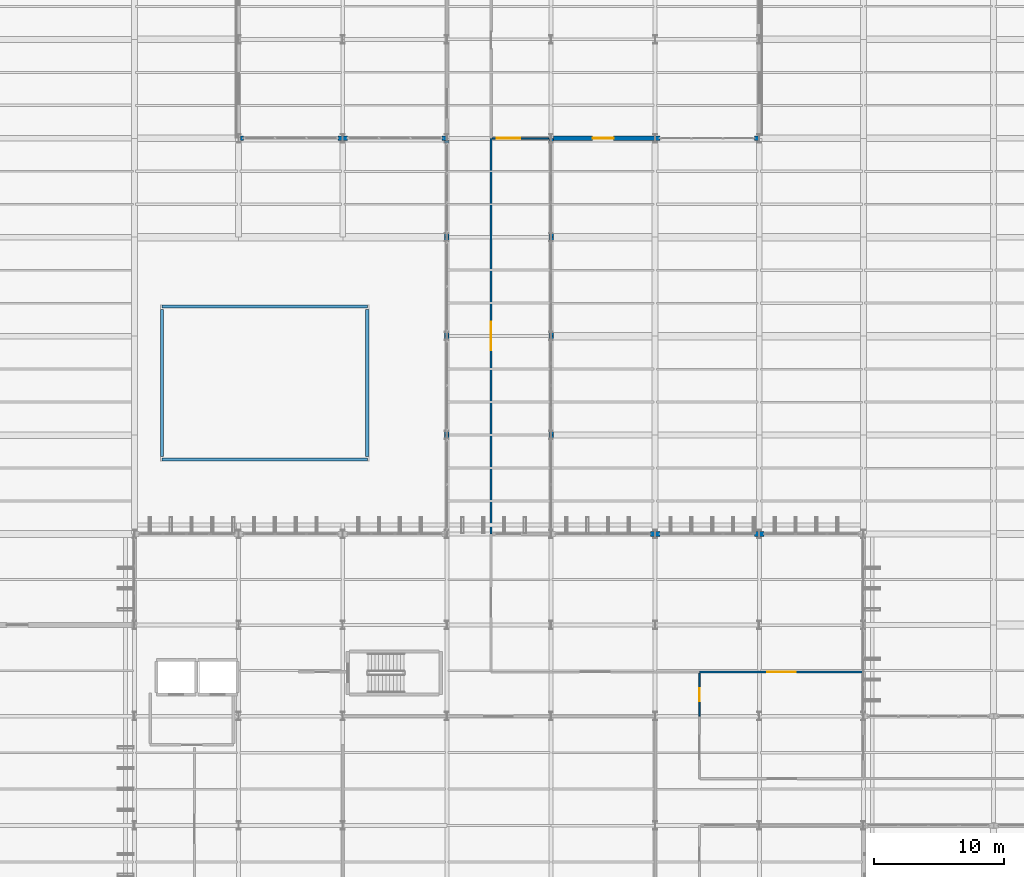
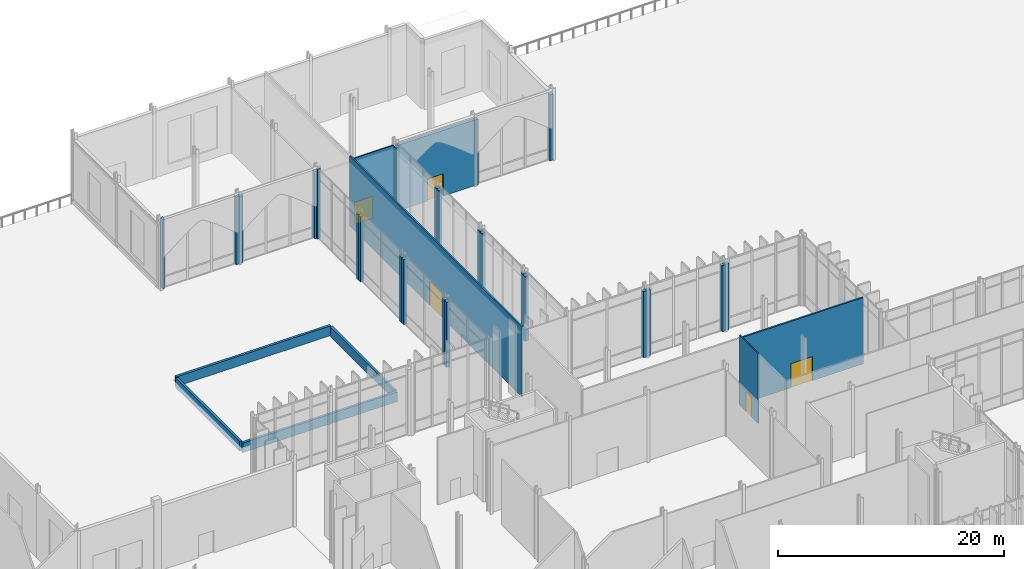
# One storey, part 141 of 176: 33 walls, 5 doors, 5 openings.
"""IFC4 building model written with IfcOpenShell, lengths in metres."""

from ifc_helpers import new_model, si_unit, direction, frame, frame_2d, origin, place, context, subcontext, project, spatial, rectangle, extrude, material, layer, layer_set, type_object, element, fill, save


model = new_model("IFC4")

# Units and contexts
model_context = context("Model", 3, precision=1e-05, world=origin(), true_north=direction((0.0, 1.0)))
body_context = subcontext(model_context, "Body", "Model", "MODEL_VIEW")
ifc_project = project(units=[si_unit("LENGTHUNIT", "METRE"), si_unit("AREAUNIT", "SQUARE_METRE"), si_unit("VOLUMEUNIT", "CUBIC_METRE"), si_unit("PLANEANGLEUNIT", "RADIAN"), si_unit("MASSUNIT", "GRAM", prefix="KILO")], contexts=[model_context])

# Site, building, storey
site_placement = place(None, origin())
site = spatial("IfcSite", under=ifc_project, at=site_placement, CompositionType="ELEMENT")
building_placement = place(site_placement, origin())
building = spatial("IfcBuilding", under=site, at=building_placement, Name="Vekula Escarpment Museum", CompositionType="ELEMENT")
storey_placement = place(building_placement, origin())
storey = spatial("IfcBuildingStorey", under=building, at=storey_placement, Name="L01", CompositionType="ELEMENT", Elevation=0.0)

# Wall, opening, door
ifc_material_1 = material(Name="Inkisi arkosic sandstone masonry", Category="masonry")
ifc_layer_1 = layer(ifc_material_1, 0.320068359375)
ifc_layer_set_1 = layer_set([ifc_layer_1], Name="Inkisi arkosic sandstone masonry")
wall_type_1 = type_object("IfcWallType", Name="WL-ALM-320", PredefinedType="SOLIDWALL", material=ifc_layer_set_1)
wall_1_placement = place(storey_placement, frame((110.0, 120.800048828125, 0.0), z_axis=(0.0, 0.0, 1.0), x_axis=(-1.0, 0.0, 0.0)))
wall_1 = element("IfcWall", 1, at=wall_1_placement, inside=storey, type_object=wall_type_1, Name="Exterior Wall WL-EXT-L01-0174", PredefinedType="SOLIDWALL", context=body_context, shape_type="SweptSolid", body=[
    extrude(rectangle(XDim=7.821044921875, YDim=0.320068359375, at=frame_2d((3.91064453125, 0.0))), origin(), (0.0, 0.0, 1.0), 7.074951171875),
])
opening_1_placement = place(wall_1_placement, frame((3.199951171875, 0.0, 0.0)))
opening_1 = element("IfcOpeningElement", 2, at=opening_1_placement, cuts=wall_1, Name="Opening D-CY07", PredefinedType="OPENING", context=body_context, shape_type="SweptSolid", body=[
    extrude(rectangle(XDim=1.60009765625, YDim=2.39990234375, at=frame_2d((0.800048828125, 1.199951171875))), frame((0.0, 0.169921875, 0.0), z_axis=(0.0, -1.0, 0.0), x_axis=(1.0, 0.0, 0.0)), (0.0, 0.0, 1.0), 0.340087890625),
])
ifc_material_2 = material(Name="Thermally broken glazed terrace door", Category="steel")
door_type_1 = type_object("IfcDoorType", Name="DR-TER-1600x2400", OperationType="NOTDEFINED", PredefinedType="DOOR", material=ifc_material_2)
door_1_placement = place(opening_1_placement, origin())
door_1 = element("IfcDoor", 3, at=door_1_placement, inside=storey, type_object=door_type_1, Name="North Avlu East Courtyard Door D-CY07", OperationType="SINGLE_SWING_LEFT", OverallHeight=2.39990234375, OverallWidth=1.60009765625, PredefinedType="DOOR", context=body_context, shape_type="SweptSolid", body=[
    extrude(rectangle(XDim=1.60009765625, YDim=2.39990234375, at=frame_2d((0.800048828125, 1.199951171875))), frame((0.0, 0.02490234375, 0.0), z_axis=(0.0, -1.0, 0.0), x_axis=(1.0, 0.0, 0.0)), (0.0, 0.0, 1.0), 0.050048828125),
])
fill(opening_1, door_1)

# Walls
ifc_material_3 = material(Name="Inkisi arkosic sandstone masonry", Category="masonry")
ifc_layer_2 = layer(ifc_material_3, 0.35009765625)
ifc_layer_set_2 = layer_set([ifc_layer_2], Name="Inkisi arkosic sandstone masonry")
wall_type_2 = type_object("IfcWallType", Name="WL-ALM-350", PredefinedType="SOLIDWALL", material=ifc_layer_set_2)
for number, where, z_axis, x_axis, name in (
    (4, (118.360107421875, 90.39990234375, 0.0), (0.0, 0.0, 1.0), (-1.0, 0.0, 0.0), "Facade Jamb Pier L01-0161B"),
    (5, (118.0, 90.39990234375, 0.0), (0.0, 0.0, 1.0), (-1.0, 0.0, 0.0), "Facade Jamb Pier L01-0162A"),
    (6, (110.360107421875, 90.39990234375, 0.0), (0.0, 0.0, 1.0), (-1.0, 0.0, 0.0), "Facade Jamb Pier L01-0163B"),
    (7, (110.0, 90.39990234375, 0.0), (0.0, 0.0, 1.0), (-1.0, 0.0, 0.0), "Facade Jamb Pier L01-0164A"),
):
    element("IfcWall", number, at=place(storey_placement, frame(where, z_axis=z_axis, x_axis=x_axis)), inside=storey, type_object=wall_type_2, Name=name, PredefinedType="SOLIDWALL", context=body_context, shape_type="SweptSolid", body=[
        extrude(rectangle(XDim=0.360107421875, YDim=0.35009765625, at=frame_2d((0.18017578125, 0.0))), origin(), (0.0, 0.0, 1.0), 7.135009765625),
    ])
for number, where, z_axis, x_axis, name in (
    (8, (102.0, 97.639892578125, 0.0), (0.0, 0.0, 1.0), (0.0, 1.0, 0.0), "Facade Jamb Pier L01-0167B"),
    (9, (102.0, 98.0, 0.0), (0.0, 0.0, 1.0), (0.0, 1.0, 0.0), "Facade Jamb Pier L01-0168A"),
    (10, (102.0, 105.239990234375, 0.0), (0.0, 0.0, 1.0), (0.0, 1.0, 0.0), "Facade Jamb Pier L01-0169B"),
):
    element("IfcWall", number, at=place(storey_placement, frame(where, z_axis=z_axis, x_axis=x_axis)), inside=storey, type_object=wall_type_2, Name=name, PredefinedType="SOLIDWALL", context=body_context, shape_type="SweptSolid", body=[
        extrude(rectangle(XDim=0.360107421875, YDim=0.35009765625, at=frame_2d((0.18017578125, 0.0))), origin(), (0.0, 0.0, 1.0), 7.02490234375),
    ])
for number, where, z_axis, x_axis, name in (
    (11, (102.0, 105.60009765625, 0.0), (0.0, 0.0, 1.0), (0.0, 1.0, 0.0), "Facade Jamb Pier L01-0170A"),
    (12, (102.0, 112.840087890625, 0.0), (0.0, 0.0, 1.0), (0.0, 1.0, 0.0), "Facade Jamb Pier L01-0171B"),
):
    element("IfcWall", number, at=place(storey_placement, frame(where, z_axis=z_axis, x_axis=x_axis)), inside=storey, type_object=wall_type_2, Name=name, PredefinedType="SOLIDWALL", context=body_context, shape_type="SweptSolid", body=[
        extrude(rectangle(XDim=0.35986328125, YDim=0.35009765625, at=frame_2d((0.179931640625, 0.0))), origin(), (0.0, 0.0, 1.0), 7.02490234375),
    ])
for number, where, z_axis, x_axis, name in (
    (13, (102.0, 113.199951171875, 0.0), (0.0, 0.0, 1.0), (0.0, 1.0, 0.0), "Facade Jamb Pier L01-0172A"),
    (14, (102.0, 120.43994140625, 0.0), (0.0, 0.0, 1.0), (0.0, 1.0, 0.0), "Facade Jamb Pier L01-0173B"),
):
    element("IfcWall", number, at=place(storey_placement, frame(where, z_axis=z_axis, x_axis=x_axis)), inside=storey, type_object=wall_type_2, Name=name, PredefinedType="SOLIDWALL", context=body_context, shape_type="SweptSolid", body=[
        extrude(rectangle(XDim=0.360107421875, YDim=0.35009765625, at=frame_2d((0.18017578125, 0.0))), origin(), (0.0, 0.0, 1.0), 7.02490234375),
    ])
for number, where, z_axis, x_axis, name in (
    (15, (110.0, 120.800048828125, 0.0), (0.0, 0.0, 1.0), (1.0, 0.0, 0.0), "Facade Jamb Pier L01-0175A"),
    (16, (117.639892578125, 120.800048828125, 0.0), (0.0, 0.0, 1.0), (1.0, 0.0, 0.0), "Facade Jamb Pier L01-0176B"),
):
    element("IfcWall", number, at=place(storey_placement, frame(where, z_axis=z_axis, x_axis=x_axis)), inside=storey, type_object=wall_type_2, Name=name, PredefinedType="SOLIDWALL", context=body_context, shape_type="SweptSolid", body=[
        extrude(rectangle(XDim=0.360107421875, YDim=0.35009765625, at=frame_2d((0.18017578125, 0.0))), origin(), (0.0, 0.0, 1.0), 7.074951171875),
    ])
wall_2_placement = place(storey_placement, frame((78.154052734375, 120.800048828125, 0.0), z_axis=(0.0, 0.0, 1.0), x_axis=(1.0, 0.0, 0.0)))
element("IfcWall", 17, at=wall_2_placement, inside=storey, type_object=wall_type_2, Name="Facade Jamb Pier L01-0188A", PredefinedType="SOLIDWALL", context=body_context, shape_type="SweptSolid", body=[
    extrude(rectangle(XDim=0.2060546875, YDim=0.35009765625, at=frame_2d((0.10302734375, 0.0))), origin(), (0.0, 0.0, 1.0), 7.5400390625),
])
wall_3_placement = place(storey_placement, frame((85.639892578125, 120.800048828125, 0.0), z_axis=(0.0, 0.0, 1.0), x_axis=(1.0, 0.0, 0.0)))
element("IfcWall", 18, at=wall_3_placement, inside=storey, type_object=wall_type_2, Name="Facade Jamb Pier L01-0189B", PredefinedType="SOLIDWALL", context=body_context, shape_type="SweptSolid", body=[
    extrude(rectangle(XDim=0.360107421875, YDim=0.35009765625, at=frame_2d((0.18017578125, 0.0))), origin(), (0.0, 0.0, 1.0), 7.294921875),
])
for number, where, z_axis, x_axis, name in (
    (19, (86.0, 120.800048828125, 0.0), (0.0, 0.0, 1.0), (1.0, 0.0, 0.0), "Facade Jamb Pier L01-0190A"),
    (20, (93.639892578125, 120.800048828125, 0.0), (0.0, 0.0, 1.0), (1.0, 0.0, 0.0), "Facade Jamb Pier L01-0191B"),
):
    element("IfcWall", number, at=place(storey_placement, frame(where, z_axis=z_axis, x_axis=x_axis)), inside=storey, type_object=wall_type_2, Name=name, PredefinedType="SOLIDWALL", context=body_context, shape_type="SweptSolid", body=[
        extrude(rectangle(XDim=0.360107421875, YDim=0.35009765625, at=frame_2d((0.18017578125, 0.0))), origin(), (0.0, 0.0, 1.0), 7.22509765625),
    ])
wall_4_placement = place(storey_placement, frame((94.0, 120.62109375, 0.0), z_axis=(0.0, 0.0, 1.0), x_axis=(0.0, -1.0, 0.0)))
element("IfcWall", 21, at=wall_4_placement, inside=storey, type_object=wall_type_2, Name="Facade Jamb Pier L01-0192A", PredefinedType="SOLIDWALL", context=body_context, shape_type="SweptSolid", body=[
    extrude(rectangle(XDim=0.18115234375, YDim=0.35009765625, at=frame_2d((0.090576171875, 0.0))), origin(), (0.0, 0.0, 1.0), 7.5400390625),
])
wall_5_placement = place(storey_placement, frame((94.0, 113.56005859375, 0.0), z_axis=(0.0, 0.0, 1.0), x_axis=(0.0, -1.0, 0.0)))
element("IfcWall", 22, at=wall_5_placement, inside=storey, type_object=wall_type_2, Name="Facade Jamb Pier L01-0193B", PredefinedType="SOLIDWALL", context=body_context, shape_type="SweptSolid", body=[
    extrude(rectangle(XDim=0.360107421875, YDim=0.35009765625, at=frame_2d((0.18017578125, 0.0))), origin(), (0.0, 0.0, 1.0), 7.02490234375),
])
for number, where, z_axis, x_axis, name in (
    (23, (94.0, 113.199951171875, 0.0), (0.0, 0.0, 1.0), (0.0, -1.0, 0.0), "Facade Jamb Pier L01-0194A"),
    (24, (94.0, 105.9599609375, 0.0), (0.0, 0.0, 1.0), (0.0, -1.0, 0.0), "Facade Jamb Pier L01-0195B"),
):
    element("IfcWall", number, at=place(storey_placement, frame(where, z_axis=z_axis, x_axis=x_axis)), inside=storey, type_object=wall_type_2, Name=name, PredefinedType="SOLIDWALL", context=body_context, shape_type="SweptSolid", body=[
        extrude(rectangle(XDim=0.35986328125, YDim=0.35009765625, at=frame_2d((0.179931640625, 0.0))), origin(), (0.0, 0.0, 1.0), 7.02490234375),
    ])
for number, where, z_axis, x_axis, name in (
    (25, (94.0, 105.60009765625, 0.0), (0.0, 0.0, 1.0), (0.0, -1.0, 0.0), "Facade Jamb Pier L01-0196A"),
    (26, (94.0, 98.360107421875, 0.0), (0.0, 0.0, 1.0), (0.0, -1.0, 0.0), "Facade Jamb Pier L01-0197B"),
    (27, (94.0, 98.0, 0.0), (0.0, 0.0, 1.0), (0.0, -1.0, 0.0), "Facade Jamb Pier L01-0198A"),
):
    element("IfcWall", number, at=place(storey_placement, frame(where, z_axis=z_axis, x_axis=x_axis)), inside=storey, type_object=wall_type_2, Name=name, PredefinedType="SOLIDWALL", context=body_context, shape_type="SweptSolid", body=[
        extrude(rectangle(XDim=0.360107421875, YDim=0.35009765625, at=frame_2d((0.18017578125, 0.0))), origin(), (0.0, 0.0, 1.0), 7.02490234375),
    ])
ifc_material_4 = material(Name="Precast concrete C40/50", Category="concrete")
ifc_layer_3 = layer(ifc_material_4, 0.239990234375)
ifc_layer_set_3 = layer_set([ifc_layer_3], Name="Precast concrete C40/50")
wall_type_3 = type_object("IfcWallType", Name="WL-PAR-240", PredefinedType="PARAPET", material=ifc_layer_set_3)
wall_6_placement = place(storey_placement, frame((72.1201171875, 96.1201171875, -0.60009765625), z_axis=(0.0, 0.0, 1.0), x_axis=(1.0, 0.0, 0.0)))
element("IfcWall", 28, at=wall_6_placement, inside=storey, type_object=wall_type_3, Name="Sadirvan Basin Stone Curb N-05", PredefinedType="PARAPET", context=body_context, shape_type="SweptSolid", body=[
    extrude(rectangle(XDim=15.759765625, YDim=0.239990234375, at=frame_2d((7.8798828125, 0.0))), origin(), (0.0, 0.0, 1.0), 1.050048828125),
])
wall_7_placement = place(storey_placement, frame((87.8798828125, 96.360107421875, -0.60009765625), z_axis=(0.0, 0.0, 1.0), x_axis=(0.0, 1.0, 0.0)))
element("IfcWall", 29, at=wall_7_placement, inside=storey, type_object=wall_type_3, Name="Sadirvan Basin Stone Curb N-06", PredefinedType="PARAPET", context=body_context, shape_type="SweptSolid", body=[
    extrude(rectangle(XDim=11.27978515625, YDim=0.239990234375, at=frame_2d((5.639892578125, 0.0))), origin(), (0.0, 0.0, 1.0), 1.050048828125),
])
wall_8_placement = place(storey_placement, frame((87.8798828125, 107.8798828125, -0.60009765625), z_axis=(0.0, 0.0, 1.0), x_axis=(-1.0, 0.0, 0.0)))
element("IfcWall", 30, at=wall_8_placement, inside=storey, type_object=wall_type_3, Name="Sadirvan Basin Stone Curb N-07", PredefinedType="PARAPET", context=body_context, shape_type="SweptSolid", body=[
    extrude(rectangle(XDim=15.759765625, YDim=0.239990234375, at=frame_2d((7.8798828125, 0.0))), origin(), (0.0, 0.0, 1.0), 1.050048828125),
])
wall_9_placement = place(storey_placement, frame((72.1201171875, 107.639892578125, -0.60009765625), z_axis=(0.0, 0.0, 1.0), x_axis=(0.0, -1.0, 0.0)))
element("IfcWall", 31, at=wall_9_placement, inside=storey, type_object=wall_type_3, Name="Sadirvan Basin Stone Curb N-08", PredefinedType="PARAPET", context=body_context, shape_type="SweptSolid", body=[
    extrude(rectangle(XDim=11.27978515625, YDim=0.239990234375, at=frame_2d((5.639892578125, 0.0))), origin(), (0.0, 0.0, 1.0), 1.050048828125),
])

# Wall, opening, door
ifc_material_5 = material(Name="Lightweight studio partition", Category="gypsum")
ifc_layer_4 = layer(ifc_material_5, 0.1201171875)
ifc_layer_set_4 = layer_set([ifc_layer_4], Name="Lightweight studio partition")
wall_type_4 = type_object("IfcWallType", Name="WL-PART-120", PredefinedType="PARTITIONING", material=ifc_layer_set_4)
wall_10_placement = place(storey_placement, frame((97.47900390625, 120.800048828125, 0.0), z_axis=(0.0, 0.0, 1.0), x_axis=(1.0, 0.0, 0.0)))
wall_10 = element("IfcWall", 32, at=wall_10_placement, inside=storey, type_object=wall_type_4, Name="Interior Partition WL-INT-L01-0009", PredefinedType="PARTITIONING", context=body_context, shape_type="SweptSolid", body=[
    extrude(rectangle(XDim=4.342041015625, YDim=0.1201171875, at=frame_2d((2.1708984375, 0.0))), origin(), (0.0, 0.0, 1.0), 7.1650390625),
])
opening_2_placement = place(wall_10_placement, frame((0.35009765625, 0.0, 0.0)))
opening_2 = element("IfcOpeningElement", 33, at=opening_2_placement, cuts=wall_10, Name="Opening DR-GL18", PredefinedType="OPENING", context=body_context, shape_type="SweptSolid", body=[
    extrude(rectangle(XDim=1.800048828125, YDim=2.39990234375, at=frame_2d((0.89990234375, 1.199951171875))), frame((0.0, 0.070068359375, 0.0), z_axis=(0.0, -1.0, 0.0), x_axis=(1.0, 0.0, 0.0)), (0.0, 0.0, 1.0), 0.14013671875),
])
ifc_material_6 = material(Name="Double glazed gallery portal door", Category="steel")
door_type_2 = type_object("IfcDoorType", Name="DR-GAL-1800x2400", OperationType="NOTDEFINED", PredefinedType="DOOR", material=ifc_material_6)
door_2_placement = place(opening_2_placement, origin())
door_2 = element("IfcDoor", 34, at=door_2_placement, inside=storey, type_object=door_type_2, Name="Interior Door L01-009", OperationType="SINGLE_SWING_RIGHT", OverallHeight=2.39990234375, OverallWidth=1.800048828125, PredefinedType="DOOR", context=body_context, shape_type="SweptSolid", body=[
    extrude(rectangle(XDim=1.800048828125, YDim=2.39990234375, at=frame_2d((0.89990234375, 1.199951171875))), frame((0.0, 0.02490234375, 0.0), z_axis=(0.0, -1.0, 0.0), x_axis=(1.0, 0.0, 0.0)), (0.0, 0.0, 1.0), 0.050048828125),
])
fill(opening_2, door_2)

wall_11_placement = place(storey_placement, frame((113.39990234375, 76.39990234375, 0.0), z_axis=(0.0, 0.0, 1.0), x_axis=(0.0, 1.0, 0.0)))
wall_11 = element("IfcWall", 35, at=wall_11_placement, inside=storey, type_object=wall_type_4, Name="Interior Partition WL-INT-L01-0048", PredefinedType="PARTITIONING", context=body_context, shape_type="SweptSolid", body=[
    extrude(rectangle(XDim=3.316162109375, YDim=0.1201171875, at=frame_2d((1.658203125, 0.0))), origin(), (0.0, 0.0, 1.0), 7.5400390625),
])
opening_3_placement = place(wall_11_placement, frame((1.157958984375, 0.0, 0.0)))
opening_3 = element("IfcOpeningElement", 36, at=opening_3_placement, cuts=wall_11, Name="Opening DR-OF10", PredefinedType="OPENING", context=body_context, shape_type="SweptSolid", body=[
    extrude(rectangle(XDim=1.0, YDim=2.14990234375, at=frame_2d((0.5, 1.074951171875))), frame((0.0, 0.070068359375, 0.0), z_axis=(0.0, -1.0, 0.0), x_axis=(1.0, 0.0, 0.0)), (0.0, 0.0, 1.0), 0.14013671875),
])
ifc_material_7 = material(Name="Solid core timber study door", Category="wood")
door_type_3 = type_object("IfcDoorType", Name="DR-OFF-1000x2150", OperationType="NOTDEFINED", PredefinedType="DOOR", material=ifc_material_7)
door_3_placement = place(opening_3_placement, origin())
door_3 = element("IfcDoor", 37, at=door_3_placement, inside=storey, type_object=door_type_3, Name="Interior Door L01-045", OperationType="SINGLE_SWING_RIGHT", OverallHeight=2.14990234375, OverallWidth=1.0, PredefinedType="DOOR", context=body_context, shape_type="SweptSolid", body=[
    extrude(rectangle(XDim=1.0, YDim=2.14990234375, at=frame_2d((0.5, 1.074951171875))), frame((0.0, 0.02490234375, 0.0), z_axis=(0.0, -1.0, 0.0), x_axis=(1.0, 0.0, 0.0)), (0.0, 0.0, 1.0), 0.050048828125),
])
fill(opening_3, door_3)

ifc_material_8 = material(Name="Gypsum board gallery partition", Category="gypsum")
ifc_layer_5 = layer(ifc_material_8, 0.159912109375)
ifc_layer_set_5 = layer_set([ifc_layer_5], Name="Gypsum board gallery partition")
wall_type_5 = type_object("IfcWallType", Name="WL-PART-160", PredefinedType="PARTITIONING", material=ifc_layer_set_5)
wall_12_placement = place(storey_placement, frame((113.39990234375, 79.800048828125, 0.0), z_axis=(0.0, 0.0, 1.0), x_axis=(1.0, 0.0, 0.0)))
wall_12 = element("IfcWall", 38, at=wall_12_placement, inside=storey, type_object=wall_type_5, Name="Interior Partition WL-INT-L01-0055", PredefinedType="PARTITIONING", context=body_context, shape_type="SweptSolid", body=[
    extrude(rectangle(XDim=12.60009765625, YDim=0.159912109375, at=frame_2d((6.300048828125, 0.0))), origin(), (0.0, 0.0, 1.0), 7.1650390625),
])
opening_4_placement = place(wall_12_placement, frame((5.199951171875, 0.0, 0.0)))
opening_4 = element("IfcOpeningElement", 39, at=opening_4_placement, cuts=wall_12, Name="Opening DR-GL22", PredefinedType="OPENING", context=body_context, shape_type="SweptSolid", body=[
    extrude(rectangle(XDim=2.199951171875, YDim=2.60009765625, at=frame_2d((1.10009765625, 1.300048828125))), frame((0.0, 0.08984375, 0.0), z_axis=(0.0, -1.0, 0.0), x_axis=(1.0, 0.0, 0.0)), (0.0, 0.0, 1.0), 0.179931640625),
])
ifc_material_9 = material(Name="Double acoustic timber gallery door", Category="wood")
door_type_4 = type_object("IfcDoorType", Name="DR-GAL-2200x2600", OperationType="NOTDEFINED", PredefinedType="DOOR", material=ifc_material_9)
door_4_placement = place(opening_4_placement, origin())
door_4 = element("IfcDoor", 40, at=door_4_placement, inside=storey, type_object=door_type_4, Name="Interior Door L01-052", OperationType="SINGLE_SWING_LEFT", OverallHeight=2.60009765625, OverallWidth=2.199951171875, PredefinedType="DOOR", context=body_context, shape_type="SweptSolid", body=[
    extrude(rectangle(XDim=2.199951171875, YDim=2.60009765625, at=frame_2d((1.10009765625, 1.300048828125))), frame((0.0, 0.02490234375, 0.0), z_axis=(0.0, -1.0, 0.0), x_axis=(1.0, 0.0, 0.0)), (0.0, 0.0, 1.0), 0.050048828125),
])
fill(opening_4, door_4)

wall_13_placement = place(storey_placement, frame((97.39990234375, 90.39990234375, 0.0), z_axis=(0.0, 0.0, 1.0), x_axis=(0.0, 1.0, 0.0)))
wall_13 = element("IfcWall", 41, at=wall_13_placement, inside=storey, type_object=wall_type_5, Name="Interior Partition WL-INT-L01-0094", PredefinedType="PARTITIONING", context=body_context, shape_type="SweptSolid", body=[
    extrude(rectangle(XDim=30.400146484375, YDim=0.159912109375, at=frame_2d((15.2001953125, 0.0))), origin(), (0.0, 0.0, 1.0), 7.5400390625),
])
opening_5_placement = place(wall_13_placement, frame((14.10009765625, 0.0, 0.0)))
opening_5 = element("IfcOpeningElement", 42, at=opening_5_placement, cuts=wall_13, Name="Opening DR-GL22", PredefinedType="OPENING", context=body_context, shape_type="SweptSolid", body=[
    extrude(rectangle(XDim=2.199951171875, YDim=2.60009765625, at=frame_2d((1.10009765625, 1.300048828125))), frame((0.0, 0.08984375, 0.0), z_axis=(0.0, -1.0, 0.0), x_axis=(1.0, 0.0, 0.0)), (0.0, 0.0, 1.0), 0.179931640625),
])
door_5_placement = place(opening_5_placement, origin())
door_5 = element("IfcDoor", 43, at=door_5_placement, inside=storey, type_object=door_type_4, Name="Interior Door L01-084", OperationType="SINGLE_SWING_LEFT", OverallHeight=2.60009765625, OverallWidth=2.199951171875, PredefinedType="DOOR", context=body_context, shape_type="SweptSolid", body=[
    extrude(rectangle(XDim=2.199951171875, YDim=2.60009765625, at=frame_2d((1.10009765625, 1.300048828125))), frame((0.0, 0.02490234375, 0.0), z_axis=(0.0, -1.0, 0.0), x_axis=(1.0, 0.0, 0.0)), (0.0, 0.0, 1.0), 0.050048828125),
])
fill(opening_5, door_5)

save(model, "model.ifc")
